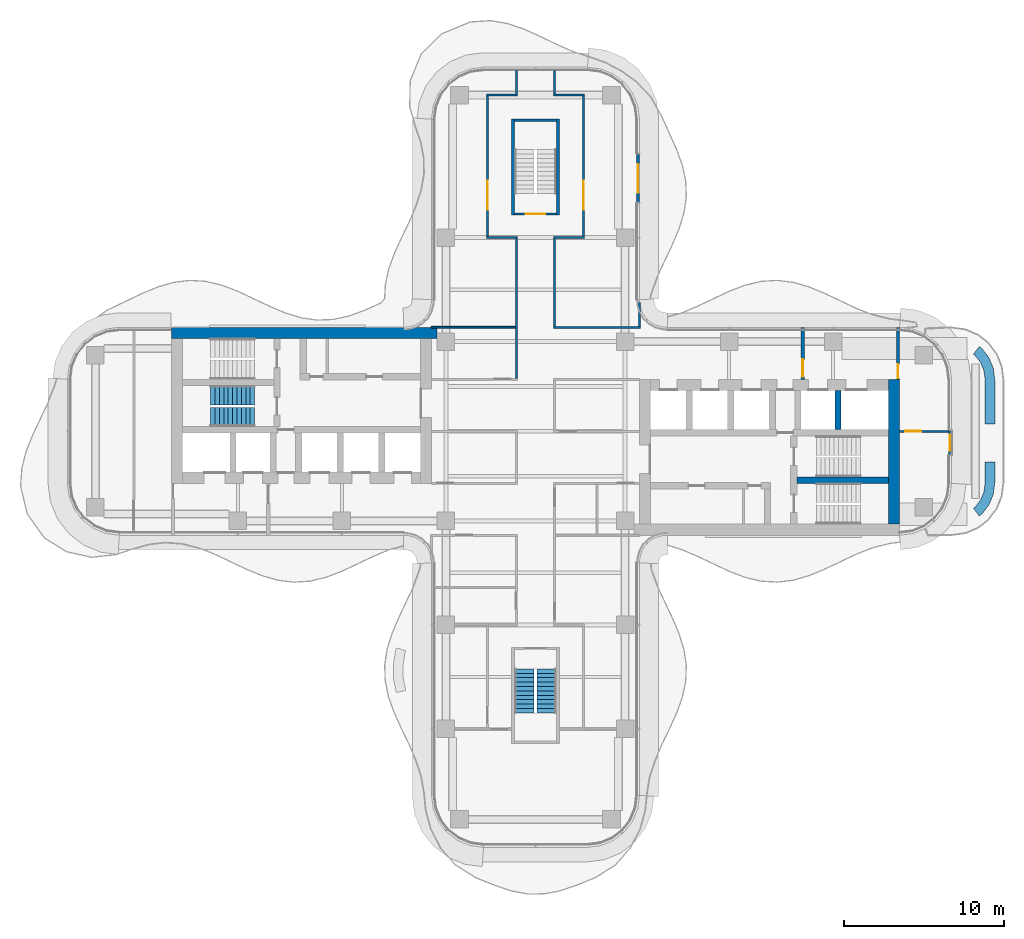
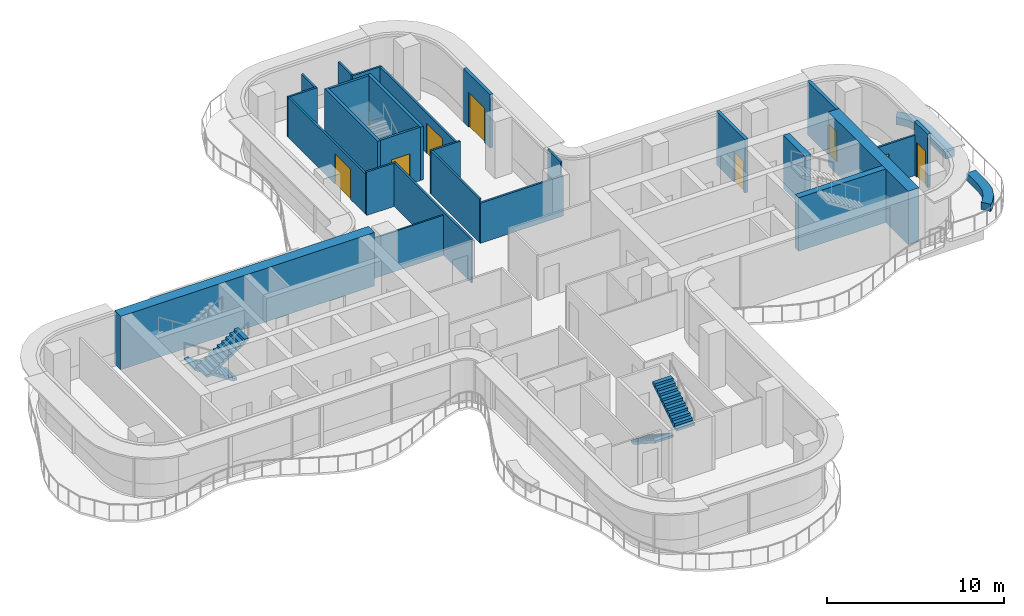
# One storey, part 14 of 17: 28 walls, 8 doors, 4 stair flights, 8 openings, 2 elements without a shape of their own.
"""IFC4 building model written with IfcOpenShell, lengths in metres."""

from ifc_helpers import new_model, si_unit, direction, frame, frame_2d, origin, place, context, subcontext, project, spatial, polyline, rectangle, outline, extrude, source, transform, mapped, material, layer, layer_set, type_object, element, fill, aggregate, save


model = new_model("IFC4")

# Units and contexts
model_context = context("Model", 3, precision=1e-05, world=origin(), true_north=direction((0.0, 1.0)))
body_context = subcontext(model_context, "Body", "Model", "MODEL_VIEW")
ifc_project = project(units=[si_unit("LENGTHUNIT", "METRE"), si_unit("AREAUNIT", "SQUARE_METRE"), si_unit("VOLUMEUNIT", "CUBIC_METRE"), si_unit("PLANEANGLEUNIT", "RADIAN"), si_unit("MASSUNIT", "GRAM", prefix="KILO")], contexts=[model_context])

# Site, building, storey
site_placement = place(None, origin())
site = spatial("IfcSite", under=ifc_project, at=site_placement, CompositionType="ELEMENT")
building_placement = place(site_placement, origin())
building = spatial("IfcBuilding", under=site, at=building_placement, Name="Trellis Farm Tower", CompositionType="ELEMENT")
storey_placement = place(building_placement, frame((0.0, 0.0, 220.699951171875)))
storey = spatial("IfcBuildingStorey", under=building, at=storey_placement, Name="L48", CompositionType="ELEMENT", Elevation=220.699951171875)

# Walls
ifc_material_1 = material(Name="Sandstone faced masonry planter", Category="masonry")
ifc_layer_1 = layer(ifc_material_1, 0.60009765625)
ifc_layer_set_1 = layer_set([ifc_layer_1], Name="PLANTER BED 600")
wall_type_1 = type_object("IfcWallType", Name="PLANTER BED 600", PredefinedType="USERDEFINED", material=ifc_layer_set_1)
placement = place(storey_placement, origin())
element("IfcWall", 1, at=placement, inside=storey, type_object=wall_type_1, Name="PLANTER bed", ObjectType="PLANTER", PredefinedType="USERDEFINED", context=body_context, shape_type="SweptSolid", body=[
    extrude(outline(polyline([(27.90576171875, 5.15576171875), (28.334228515625, 4.59765625), (28.603515625, 3.947509765625), (28.699951171875, 3.214111328125), (28.699951171875, 0.469970703125), (28.10009765625, 0.469970703125), (28.10009765625, 3.174560546875), (28.018798828125, 3.791015625), (27.81005859375, 4.294921875), (27.477783203125, 4.727783203125), (27.364990234375, 4.814697265625), (27.730224609375, 5.29052734375), (27.90576171875, 5.15576171875)])), origin(), (0.0, 0.0, 1.0), 0.5),
])
element("IfcWall", 2, at=placement, inside=storey, type_object=wall_type_1, Name="PLANTER bed", ObjectType="PLANTER", PredefinedType="USERDEFINED", context=body_context, shape_type="SweptSolid", body=[
    extrude(outline(polyline([(28.603515625, -3.947509765625), (28.334228515625, -4.59765625), (27.90576171875, -5.15576171875), (27.730224609375, -5.29052734375), (27.364990234375, -4.814697265625), (27.477783203125, -4.727783203125), (27.81005859375, -4.294921875), (28.018798828125, -3.791015625), (28.10009765625, -3.174560546875), (28.10009765625, -1.929931640625), (28.699951171875, -1.929931640625), (28.699951171875, -3.214111328125), (28.603515625, -3.947509765625)])), origin(), (0.0, 0.0, 1.0), 0.5),
])
ifc_material_2 = material(Name="Concrete C60/75", Category="concrete")
ifc_layer_2 = layer(ifc_material_2, 0.699951171875)
ifc_layer_set_2 = layer_set([ifc_layer_2], Name="CORE OUTER WALL 700 CONCRETE C60/75")
wall_type_2 = type_object("IfcWallType", Name="CORE OUTER WALL 700 CONCRETE C60/75", PredefinedType="SHEAR", material=ifc_layer_set_2)
shared_shape_1 = source(origin(), body_context, "Body", "SweptSolid", [
    extrude(rectangle(XDim=9.050048828125, YDim=0.699951171875, at=frame_2d((4.52490234375, 0.0))), origin(), (0.0, 0.0, 1.0), 3.699951171875),
])
wall_3_placement = place(storey_placement, frame((22.39990234375, -5.800048828125, 0.0), z_axis=(0.0, 0.0, 1.0), x_axis=(0.0, 1.0, 0.0)))
element("IfcWall", 3, at=wall_3_placement, inside=storey, type_object=wall_type_2, Name="Core wall", PredefinedType="SHEAR", context=body_context, shape_type="MappedRepresentation", body=[
    mapped(shared_shape_1, transform((0.0, 0.0, 0.0))),
])
ifc_layer_3 = layer(ifc_material_2, 0.39990234375)
ifc_layer_set_3 = layer_set([ifc_layer_3], Name="CORE INNER WALL 400 CONCRETE C60/75")
wall_type_3 = type_object("IfcWallType", Name="CORE INNER WALL 400 CONCRETE C60/75", PredefinedType="SHEAR", material=ifc_layer_set_3)
shared_shape_2 = source(origin(), body_context, "Body", "SweptSolid", [
    extrude(rectangle(XDim=2.449951171875, YDim=0.39990234375, at=frame_2d((1.22509765625, 0.0))), origin(), (0.0, 0.0, 1.0), 3.699951171875),
])
wall_4_placement = place(storey_placement, frame((18.89990234375, 0.10009765625, 0.0), z_axis=(0.0, 0.0, 1.0), x_axis=(0.0, 1.0, 0.0)))
element("IfcWall", 4, at=wall_4_placement, inside=storey, type_object=wall_type_3, Name="Core wall", PredefinedType="SHEAR", context=body_context, shape_type="MappedRepresentation", body=[
    mapped(shared_shape_2, transform((0.0, 0.0, 0.0))),
])

# Wall, opening, door
ifc_material_3 = material(Name="Masonry blockwork", Category="masonry")
ifc_layer_4 = layer(ifc_material_3, 0.199951171875)
ifc_layer_set_4 = layer_set([ifc_layer_4], Name="FIRE LOBBY PARTITION 200 BLOCKWORK")
wall_type_4 = type_object("IfcWallType", Name="FIRE LOBBY PARTITION 200 BLOCKWORK", PredefinedType="PARTITIONING", material=ifc_layer_set_4)
shared_shape_3 = source(origin(), body_context, "Body", "SweptSolid", [
    extrude(rectangle(XDim=3.25, YDim=0.199951171875, at=frame_2d((1.625, 0.0))), origin(), (0.0, 0.0, 1.0), 3.699951171875),
])
wall_5_placement = place(storey_placement, frame((16.699951171875, 3.25, 0.0), z_axis=(0.0, 0.0, 1.0), x_axis=(0.0, 1.0, 0.0)))
wall_5 = element("IfcWall", 5, at=wall_5_placement, inside=storey, type_object=wall_type_4, Name="Fire-fighting lobby partition", PredefinedType="PARTITIONING", context=body_context, shape_type="MappedRepresentation", body=[
    mapped(shared_shape_3, transform((0.0, 0.0, 0.0))),
])
shared_shape_4 = source(origin(), body_context, "Body", "SweptSolid", [
    extrude(rectangle(XDim=1.10009765625, YDim=2.10009765625, at=frame_2d((0.550048828125, 1.050048828125))), frame((0.0, 0.110107421875, 0.0), z_axis=(0.0, -1.0, 0.0), x_axis=(1.0, 0.0, 0.0)), (0.0, 0.0, 1.0), 0.22021484375),
])
opening_1_placement = place(wall_5_placement, frame((0.14990234375, 0.0, 0.0)))
opening_1 = element("IfcOpeningElement", 6, at=opening_1_placement, cuts=wall_5, Name="Opening DC7", PredefinedType="OPENING", context=body_context, shape_type="MappedRepresentation", body=[
    mapped(shared_shape_4, transform((0.0, 0.0, 0.0))),
])
ifc_material_4 = material(Name="Steel", Category="steel")
door_type_1 = type_object("IfcDoorType", Name="CORE FIRE DOOR 1100 X 2100", OperationType="NOTDEFINED", PredefinedType="DOOR", material=ifc_material_4)
shared_shape_5 = source(origin(), body_context, "Body", "SweptSolid", [
    extrude(rectangle(XDim=1.10009765625, YDim=2.10009765625, at=frame_2d((0.550048828125, 1.050048828125))), frame((0.0, 0.02490234375, 0.0), z_axis=(0.0, -1.0, 0.0), x_axis=(1.0, 0.0, 0.0)), (0.0, 0.0, 1.0), 0.050048828125),
])
door_1_placement = place(opening_1_placement, origin())
door_1 = element("IfcDoor", 7, at=door_1_placement, inside=storey, type_object=door_type_1, Name="Core door", OperationType="SINGLE_SWING_RIGHT", OverallHeight=2.10009765625, OverallWidth=1.10009765625, PredefinedType="DOOR", context=body_context, shape_type="MappedRepresentation", body=[
    mapped(shared_shape_5, transform((0.0, 0.0, 0.0))),
])
fill(opening_1, door_1)

wall_6_placement = place(storey_placement, frame((22.64990234375, 3.25, 0.0), z_axis=(0.0, 0.0, 1.0), x_axis=(0.0, 1.0, 0.0)))
wall_6 = element("IfcWall", 8, at=wall_6_placement, inside=storey, type_object=wall_type_4, Name="Fire-fighting lobby partition", PredefinedType="PARTITIONING", context=body_context, shape_type="MappedRepresentation", body=[
    mapped(shared_shape_3, transform((0.0, 0.0, 0.0))),
])
shared_shape_6 = source(origin(), body_context, "Body", "SweptSolid", [
    extrude(rectangle(XDim=0.89990234375, YDim=2.10009765625, at=frame_2d((0.449951171875, 1.050048828125))), frame((0.0, 0.110107421875, 0.0), z_axis=(0.0, -1.0, 0.0), x_axis=(1.0, 0.0, 0.0)), (0.0, 0.0, 1.0), 0.22021484375),
])
opening_2_placement = place(wall_6_placement, frame((0.050048828125, 0.0, 0.0)))
opening_2 = element("IfcOpeningElement", 9, at=opening_2_placement, cuts=wall_6, Name="Opening DC8", PredefinedType="OPENING", context=body_context, shape_type="MappedRepresentation", body=[
    mapped(shared_shape_6, transform((0.0, 0.0, 0.0))),
])
door_type_2 = type_object("IfcDoorType", Name="CORE FIRE DOOR 900 X 2100", OperationType="NOTDEFINED", PredefinedType="DOOR", material=ifc_material_4)
shared_shape_7 = source(origin(), body_context, "Body", "SweptSolid", [
    extrude(rectangle(XDim=0.89990234375, YDim=2.10009765625, at=frame_2d((0.449951171875, 1.050048828125))), frame((0.0, 0.02490234375, 0.0), z_axis=(0.0, -1.0, 0.0), x_axis=(1.0, 0.0, 0.0)), (0.0, 0.0, 1.0), 0.050048828125),
])
door_2_placement = place(opening_2_placement, origin())
door_2 = element("IfcDoor", 10, at=door_2_placement, inside=storey, type_object=door_type_2, Name="Core door", OperationType="SINGLE_SWING_RIGHT", OverallHeight=2.10009765625, OverallWidth=0.89990234375, PredefinedType="DOOR", context=body_context, shape_type="MappedRepresentation", body=[
    mapped(shared_shape_7, transform((0.0, 0.0, 0.0))),
])
fill(opening_2, door_2)

# Walls
shared_shape_8 = source(origin(), body_context, "Body", "SweptSolid", [
    extrude(rectangle(XDim=5.699951171875, YDim=0.39990234375, at=frame_2d((2.85009765625, 0.0))), origin(), (0.0, 0.0, 1.0), 3.699951171875),
])
wall_7_placement = place(storey_placement, frame((16.35009765625, -3.050048828125, 0.0), z_axis=(0.0, 0.0, 1.0), x_axis=(1.0, 0.0, 0.0)))
element("IfcWall", 11, at=wall_7_placement, inside=storey, type_object=wall_type_3, Name="Core wall", PredefinedType="SHEAR", context=body_context, shape_type="MappedRepresentation", body=[
    mapped(shared_shape_8, transform((0.0, 0.0, 0.0))),
])
shared_shape_9 = source(origin(), body_context, "Body", "SweptSolid", [
    extrude(rectangle(XDim=16.60009765625, YDim=0.699951171875, at=frame_2d((8.300048828125, 0.0))), origin(), (0.0, 0.0, 1.0), 3.699951171875),
])
wall_8_placement = place(storey_placement, frame((-6.14990234375, 6.14990234375, 0.0), z_axis=(0.0, 0.0, 1.0), x_axis=(-1.0, 0.0, 0.0)))
element("IfcWall", 12, at=wall_8_placement, inside=storey, type_object=wall_type_2, Name="Core wall", PredefinedType="SHEAR", context=body_context, shape_type="MappedRepresentation", body=[
    mapped(shared_shape_9, transform((0.0, 0.0, 0.0))),
])
ifc_layer_5 = layer(ifc_material_2, 0.199951171875)
ifc_layer_set_5 = layer_set([ifc_layer_5], Name="CORE STAIR ENCLOSURE WALL 200 CONCRETE C60/75")
wall_type_5 = type_object("IfcWallType", Name="CORE STAIR ENCLOSURE WALL 200 CONCRETE C60/75", PredefinedType="SHEAR", material=ifc_layer_set_5)
shared_shape_10 = source(origin(), body_context, "Body", "SweptSolid", [
    extrude(rectangle(XDim=6.0, YDim=0.199951171875, at=frame_2d((3.0, 0.0))), origin(), (0.0, 0.0, 1.0), 3.699951171875),
])
for number, where, z_axis, x_axis, name in (
    (13, (-1.39990234375, 13.5, 0.0), (0.0, 0.0, 1.0), (0.0, 1.0, 0.0), "Stair enclosure wall"),
    (14, (1.39990234375, 13.5, 0.0), (0.0, 0.0, 1.0), (0.0, 1.0, 0.0), "Stair enclosure wall"),
):
    element("IfcWall", number, at=place(storey_placement, frame(where, z_axis=z_axis, x_axis=x_axis)), inside=storey, type_object=wall_type_5, Name=name, PredefinedType="SHEAR", context=body_context, shape_type="MappedRepresentation", body=[
        mapped(shared_shape_10, transform((0.0, 0.0, 0.0))),
    ])

# Wall, opening, door
ifc_layer_6 = layer(ifc_material_2, 0.14990234375)
ifc_layer_set_6 = layer_set([ifc_layer_6], Name="CORE STAIR ENCLOSURE WALL 150 CONCRETE C60/75")
wall_type_6 = type_object("IfcWallType", Name="CORE STAIR ENCLOSURE WALL 150 CONCRETE C60/75", PredefinedType="SHEAR", material=ifc_layer_set_6)
shared_shape_11 = source(origin(), body_context, "Body", "SweptSolid", [
    extrude(rectangle(XDim=2.60009765625, YDim=0.14990234375, at=frame_2d((1.300048828125, 0.0))), origin(), (0.0, 0.0, 1.0), 3.699951171875),
])
wall_9_placement = place(storey_placement, frame((-1.300048828125, 13.574951171875, 0.0), z_axis=(0.0, 0.0, 1.0), x_axis=(1.0, 0.0, 0.0)))
wall_9 = element("IfcWall", 15, at=wall_9_placement, inside=storey, type_object=wall_type_6, Name="Stair enclosure wall", PredefinedType="SHEAR", context=body_context, shape_type="MappedRepresentation", body=[
    mapped(shared_shape_11, transform((0.0, 0.0, 0.0))),
])
shared_shape_12 = source(origin(), body_context, "Body", "SweptSolid", [
    extrude(rectangle(XDim=1.199951171875, YDim=2.10009765625, at=frame_2d((0.60009765625, 1.050048828125))), frame((0.0, 0.0849609375, 0.0), z_axis=(0.0, -1.0, 0.0), x_axis=(1.0, 0.0, 0.0)), (0.0, 0.0, 1.0), 0.169921875),
])
opening_3_placement = place(wall_9_placement, frame((0.699951171875, 0.0, 0.0)))
opening_3 = element("IfcOpeningElement", 16, at=opening_3_placement, cuts=wall_9, Name="Opening DC173", PredefinedType="OPENING", context=body_context, shape_type="MappedRepresentation", body=[
    mapped(shared_shape_12, transform((0.0, 0.0, 0.0))),
])
door_type_3 = type_object("IfcDoorType", Name="CORE FIRE DOOR 1200 X 2100", OperationType="NOTDEFINED", PredefinedType="DOOR", material=ifc_material_4)
shared_shape_13 = source(origin(), body_context, "Body", "SweptSolid", [
    extrude(rectangle(XDim=1.199951171875, YDim=2.10009765625, at=frame_2d((0.60009765625, 1.050048828125))), frame((0.0, 0.02490234375, 0.0), z_axis=(0.0, -1.0, 0.0), x_axis=(1.0, 0.0, 0.0)), (0.0, 0.0, 1.0), 0.050048828125),
])
door_3_placement = place(opening_3_placement, origin())
door_3 = element("IfcDoor", 17, at=door_3_placement, inside=storey, type_object=door_type_3, Name="Core door", OperationType="SINGLE_SWING_LEFT", OverallHeight=2.10009765625, OverallWidth=1.199951171875, PredefinedType="DOOR", context=body_context, shape_type="MappedRepresentation", body=[
    mapped(shared_shape_13, transform((0.0, 0.0, 0.0))),
])
fill(opening_3, door_3)

# Wall
wall_10_placement = place(storey_placement, frame((-1.300048828125, 19.425048828125, 0.0), z_axis=(0.0, 0.0, 1.0), x_axis=(1.0, 0.0, 0.0)))
element("IfcWall", 18, at=wall_10_placement, inside=storey, type_object=wall_type_6, Name="Stair enclosure wall", PredefinedType="SHEAR", context=body_context, shape_type="MappedRepresentation", body=[
    mapped(shared_shape_11, transform((0.0, 0.0, 0.0))),
])

# Wall, opening, door
ifc_material_5 = material(Name="Sandstone faced insulated wall", Category="masonry")
ifc_layer_7 = layer(ifc_material_5, 0.199951171875)
ifc_layer_set_7 = layer_set([ifc_layer_7], Name="EXTERNAL INFILL WALL 200")
wall_type_7 = type_object("IfcWallType", Name="EXTERNAL INFILL WALL 200", PredefinedType="SOLIDWALL", material=ifc_layer_set_7)
shared_shape_14 = source(origin(), body_context, "Body", "SweptSolid", [
    extrude(rectangle(XDim=3.0, YDim=0.199951171875, at=frame_2d((1.5, 0.0))), origin(), (0.0, 0.0, 1.0), 3.699951171875),
])
wall_11_placement = place(storey_placement, frame((6.39990234375, 14.300048828125, 0.0), z_axis=(0.0, 0.0, 1.0), x_axis=(0.0, 1.0, 0.0)))
wall_11 = element("IfcWall", 19, at=wall_11_placement, inside=storey, type_object=wall_type_7, Name="EW1 02", PredefinedType="SOLIDWALL", context=body_context, shape_type="MappedRepresentation", body=[
    mapped(shared_shape_14, transform((0.0, 0.0, 0.0))),
])
shared_shape_15 = source(origin(), body_context, "Body", "SweptSolid", [
    extrude(rectangle(XDim=1.800048828125, YDim=2.39990234375, at=frame_2d((0.89990234375, 1.199951171875))), frame((0.0, 0.110107421875, 0.0), z_axis=(0.0, -1.0, 0.0), x_axis=(1.0, 0.0, 0.0)), (0.0, 0.0, 1.0), 0.22021484375),
])
opening_4_placement = place(wall_11_placement, frame((0.60009765625, 0.0, 0.0)))
opening_4 = element("IfcOpeningElement", 20, at=opening_4_placement, cuts=wall_11, Name="Opening ED1", PredefinedType="OPENING", context=body_context, shape_type="MappedRepresentation", body=[
    mapped(shared_shape_15, transform((0.0, 0.0, 0.0))),
])
ifc_material_6 = material(Name="Aluminium framed glazed door", Category="aluminium")
door_type_4 = type_object("IfcDoorType", Name="BALCONY DOOR 1800x2400", OperationType="DOUBLE_DOOR_SINGLE_SWING", PredefinedType="DOOR", material=ifc_material_6)
shared_shape_16 = source(origin(), body_context, "Body", "SweptSolid", [
    extrude(rectangle(XDim=1.800048828125, YDim=2.39990234375, at=frame_2d((0.89990234375, 1.199951171875))), frame((0.0, 0.02490234375, 0.0), z_axis=(0.0, -1.0, 0.0), x_axis=(1.0, 0.0, 0.0)), (0.0, 0.0, 1.0), 0.050048828125),
])
door_4_placement = place(opening_4_placement, origin())
door_4 = element("IfcDoor", 21, at=door_4_placement, inside=storey, type_object=door_type_4, Name="Balcony door", OperationType="DOUBLE_DOOR_SINGLE_SWING", OverallHeight=2.39990234375, OverallWidth=1.800048828125, PredefinedType="DOOR", context=body_context, shape_type="MappedRepresentation", body=[
    mapped(shared_shape_16, transform((0.0, 0.0, 0.0))),
])
fill(opening_4, door_4)

shared_shape_17 = source(origin(), body_context, "Body", "SweptSolid", [
    extrude(rectangle(XDim=1.5, YDim=0.199951171875, at=frame_2d((0.75, 0.0))), origin(), (0.0, 0.0, 1.0), 3.699951171875),
])
wall_12_placement = place(storey_placement, frame((25.89990234375, -1.47998046875, 0.0), z_axis=(0.0, 0.0, 1.0), x_axis=(0.0, 1.0, 0.0)))
wall_12 = element("IfcWall", 22, at=wall_12_placement, inside=storey, type_object=wall_type_7, Name="EW1 01", PredefinedType="SOLIDWALL", context=body_context, shape_type="MappedRepresentation", body=[
    mapped(shared_shape_17, transform((0.0, 0.0, 0.0))),
])
shared_shape_18 = source(origin(), body_context, "Body", "SweptSolid", [
    extrude(rectangle(XDim=1.0, YDim=2.39990234375, at=frame_2d((0.5, 1.199951171875))), frame((0.0, 0.110107421875, 0.0), z_axis=(0.0, -1.0, 0.0), x_axis=(1.0, 0.0, 0.0)), (0.0, 0.0, 1.0), 0.22021484375),
])
opening_5_placement = place(wall_12_placement, frame((0.25, 0.0, 0.0)))
opening_5 = element("IfcOpeningElement", 23, at=opening_5_placement, cuts=wall_12, Name="Opening ED2", PredefinedType="OPENING", context=body_context, shape_type="MappedRepresentation", body=[
    mapped(shared_shape_18, transform((0.0, 0.0, 0.0))),
])
door_type_5 = type_object("IfcDoorType", Name="BALCONY DOOR 1000x2400", OperationType="SINGLE_SWING_LEFT", PredefinedType="DOOR", material=ifc_material_6)
shared_shape_19 = source(origin(), body_context, "Body", "SweptSolid", [
    extrude(rectangle(XDim=1.0, YDim=2.39990234375, at=frame_2d((0.5, 1.199951171875))), frame((0.0, 0.02490234375, 0.0), z_axis=(0.0, -1.0, 0.0), x_axis=(1.0, 0.0, 0.0)), (0.0, 0.0, 1.0), 0.050048828125),
])
door_5_placement = place(opening_5_placement, origin())
door_5 = element("IfcDoor", 24, at=door_5_placement, inside=storey, type_object=door_type_5, Name="Balcony door", OperationType="SINGLE_SWING_LEFT", OverallHeight=2.39990234375, OverallWidth=1.0, PredefinedType="DOOR", context=body_context, shape_type="MappedRepresentation", body=[
    mapped(shared_shape_19, transform((0.0, 0.0, 0.0))),
])
fill(opening_5, door_5)

# Walls
ifc_material_7 = material(Name="Plasterboard on steel studs, mineral wool", Category="steel")
ifc_layer_8 = layer(ifc_material_7, 0.125)
ifc_layer_set_8 = layer_set([ifc_layer_8], Name="PARTITION 125 STUD EI 60")
wall_type_8 = type_object("IfcWallType", Name="PARTITION 125 STUD EI 60", PredefinedType="PARTITIONING", material=ifc_layer_set_8)
shared_shape_20 = source(origin(), body_context, "Body", "SweptSolid", [
    extrude(rectangle(XDim=5.47509765625, YDim=0.125, at=frame_2d((2.737548828125, 0.0))), origin(), (0.0, 0.0, 1.0), 2.99658203125),
])
wall_13_placement = place(storey_placement, frame((1.199951171875, 12.03759765625, 0.0), z_axis=(0.0, 0.0, 1.0), x_axis=(0.0, -1.0, 0.0)))
element("IfcWall", 25, at=wall_13_placement, inside=storey, type_object=wall_type_8, Name="Partition PW1", PredefinedType="PARTITIONING", context=body_context, shape_type="MappedRepresentation", body=[
    mapped(shared_shape_20, transform((0.0, 0.0, 0.0))),
])
shared_shape_21 = source(origin(), body_context, "Body", "SweptSolid", [
    extrude(rectangle(XDim=1.468994140625, YDim=0.125, at=frame_2d((0.734375, 0.0))), origin(), (0.0, 0.0, 1.0), 3.699951171875),
])
wall_14_placement = place(storey_placement, frame((6.5, 6.5625, 0.0), z_axis=(0.0, 0.0, 1.0), x_axis=(0.0, 1.0, 0.0)))
element("IfcWall", 26, at=wall_14_placement, inside=storey, type_object=wall_type_8, Name="Partition PW1", PredefinedType="PARTITIONING", context=body_context, shape_type="MappedRepresentation", body=[
    mapped(shared_shape_21, transform((0.0, 0.0, 0.0))),
])
shared_shape_22 = source(origin(), body_context, "Body", "SweptSolid", [
    extrude(rectangle(XDim=8.72509765625, YDim=0.125, at=frame_2d((4.362548828125, 0.0))), origin(), (0.0, 0.0, 1.0), 2.99658203125),
])
wall_15_placement = place(storey_placement, frame((-1.199951171875, 12.03759765625, 0.0), z_axis=(0.0, 0.0, 1.0), x_axis=(0.0, -1.0, 0.0)))
element("IfcWall", 27, at=wall_15_placement, inside=storey, type_object=wall_type_8, Name="Partition PW1", PredefinedType="PARTITIONING", context=body_context, shape_type="MappedRepresentation", body=[
    mapped(shared_shape_22, transform((0.0, 0.0, 0.0))),
])
shared_shape_23 = source(origin(), body_context, "Body", "SweptSolid", [
    extrude(rectangle(XDim=1.925048828125, YDim=0.125, at=frame_2d((0.96240234375, 0.0))), origin(), (0.0, 0.0, 1.0), 2.99658203125),
])
for number, where, z_axis, x_axis, name in (
    (28, (-1.137451171875, 12.10009765625, 0.0), (0.0, 0.0, 1.0), (-1.0, 0.0, 0.0), "Partition PW1"),
    (29, (3.0625, 12.10009765625, 0.0), (0.0, 0.0, 1.0), (-1.0, 0.0, 0.0), "Partition PW1"),
):
    element("IfcWall", number, at=place(storey_placement, frame(where, z_axis=z_axis, x_axis=x_axis)), inside=storey, type_object=wall_type_8, Name=name, PredefinedType="PARTITIONING", context=body_context, shape_type="MappedRepresentation", body=[
        mapped(shared_shape_23, transform((0.0, 0.0, 0.0))),
    ])
shared_shape_24 = source(origin(), body_context, "Body", "SweptSolid", [
    extrude(rectangle(XDim=5.425048828125, YDim=0.125, at=frame_2d((2.71240234375, 0.0))), origin(), (0.0, 0.0, 1.0), 2.780029296875),
])
wall_16_placement = place(storey_placement, frame((1.137451171875, 6.5, 0.0), z_axis=(0.0, 0.0, 1.0), x_axis=(1.0, 0.0, 0.0)))
element("IfcWall", 30, at=wall_16_placement, inside=storey, type_object=wall_type_8, Name="Partition PW1", PredefinedType="PARTITIONING", context=body_context, shape_type="MappedRepresentation", body=[
    mapped(shared_shape_24, transform((0.0, 0.0, 0.0))),
])
ifc_material_8 = material(Name="Plasterboard on steel studs", Category="steel")
ifc_layer_9 = layer(ifc_material_8, 0.10009765625)
ifc_layer_set_9 = layer_set([ifc_layer_9], Name="PARTITION 100 STUD EI 30")
wall_type_9 = type_object("IfcWallType", Name="PARTITION 100 STUD EI 30", PredefinedType="PARTITIONING", material=ifc_layer_set_9)
shared_shape_25 = source(origin(), body_context, "Body", "SweptSolid", [
    extrude(rectangle(XDim=5.237548828125, YDim=0.10009765625, at=frame_2d((2.61865234375, 0.0))), origin(), (0.0, 0.0, 1.0), 2.780029296875),
])
wall_17_placement = place(storey_placement, frame((-6.5, 6.5, 0.0), z_axis=(0.0, 0.0, 1.0), x_axis=(1.0, 0.0, 0.0)))
element("IfcWall", 31, at=wall_17_placement, inside=storey, type_object=wall_type_9, Name="Partition PW2", PredefinedType="PARTITIONING", context=body_context, shape_type="MappedRepresentation", body=[
    mapped(shared_shape_25, transform((0.0, 0.0, 0.0))),
])

# Wall, opening, door
shared_shape_26 = source(origin(), body_context, "Body", "SweptSolid", [
    extrude(rectangle(XDim=8.77490234375, YDim=0.125, at=frame_2d((4.387451171875, 0.0))), origin(), (0.0, 0.0, 1.0), 2.780029296875),
])
wall_18_placement = place(storey_placement, frame((-3.0, 12.16259765625, 0.0), z_axis=(0.0, 0.0, 1.0), x_axis=(0.0, 1.0, 0.0)))
wall_18 = element("IfcWall", 32, at=wall_18_placement, inside=storey, type_object=wall_type_8, Name="Partition PW1", PredefinedType="PARTITIONING", context=body_context, shape_type="MappedRepresentation", body=[
    mapped(shared_shape_26, transform((0.0, 0.0, 0.0))),
])
shared_shape_27 = source(origin(), body_context, "Body", "SweptSolid", [
    extrude(rectangle(XDim=1.800048828125, YDim=2.10009765625, at=frame_2d((0.89990234375, 1.050048828125))), frame((0.0, 0.072509765625, 0.0), z_axis=(0.0, -1.0, 0.0), x_axis=(1.0, 0.0, 0.0)), (0.0, 0.0, 1.0), 0.14501953125),
])
opening_6_placement = place(wall_18_placement, frame((1.6875, 0.0, 0.0)))
opening_6 = element("IfcOpeningElement", 33, at=opening_6_placement, cuts=wall_18, Name="Opening D202", PredefinedType="OPENING", context=body_context, shape_type="MappedRepresentation", body=[
    mapped(shared_shape_27, transform((0.0, 0.0, 0.0))),
])
ifc_material_9 = material(Name="Fire-rated timber door leaf in a hollow metal frame", Category="wood")
door_type_6 = type_object("IfcDoorType", Name="DOOR PAIR 1800x2100 FD30S", OperationType="NOTDEFINED", PredefinedType="DOOR", material=ifc_material_9)
shared_shape_28 = source(origin(), body_context, "Body", "SweptSolid", [
    extrude(rectangle(XDim=1.800048828125, YDim=2.10009765625, at=frame_2d((0.89990234375, 1.050048828125))), frame((0.0, 0.02490234375, 0.0), z_axis=(0.0, -1.0, 0.0), x_axis=(1.0, 0.0, 0.0)), (0.0, 0.0, 1.0), 0.050048828125),
])
door_6_placement = place(opening_6_placement, origin())
door_6 = element("IfcDoor", 34, at=door_6_placement, inside=storey, type_object=door_type_6, Name="Door D202", OperationType="DOUBLE_DOOR_SINGLE_SWING", OverallHeight=2.10009765625, OverallWidth=1.800048828125, PredefinedType="DOOR", context=body_context, shape_type="MappedRepresentation", body=[
    mapped(shared_shape_28, transform((0.0, 0.0, 0.0))),
])
fill(opening_6, door_6)

wall_19_placement = place(storey_placement, frame((3.0, 20.9375, 0.0), z_axis=(0.0, 0.0, 1.0), x_axis=(0.0, -1.0, 0.0)))
wall_19 = element("IfcWall", 35, at=wall_19_placement, inside=storey, type_object=wall_type_8, Name="Partition PW1", PredefinedType="PARTITIONING", context=body_context, shape_type="MappedRepresentation", body=[
    mapped(shared_shape_26, transform((0.0, 0.0, 0.0))),
])
opening_7_placement = place(wall_19_placement, frame((5.28759765625, 0.0, 0.0)))
opening_7 = element("IfcOpeningElement", 36, at=opening_7_placement, cuts=wall_19, Name="Opening D203", PredefinedType="OPENING", context=body_context, shape_type="MappedRepresentation", body=[
    mapped(shared_shape_27, transform((0.0, 0.0, 0.0))),
])
door_7_placement = place(opening_7_placement, origin())
door_7 = element("IfcDoor", 37, at=door_7_placement, inside=storey, type_object=door_type_6, Name="Door D203", OperationType="DOUBLE_DOOR_SINGLE_SWING", OverallHeight=2.10009765625, OverallWidth=1.800048828125, PredefinedType="DOOR", context=body_context, shape_type="MappedRepresentation", body=[
    mapped(shared_shape_28, transform((0.0, 0.0, 0.0))),
])
fill(opening_7, door_7)

# Walls
shared_shape_29 = source(origin(), body_context, "Body", "SweptSolid", [
    extrude(rectangle(XDim=1.487548828125, YDim=0.125, at=frame_2d((0.74365234375, 0.0))), origin(), (0.0, 0.0, 1.0), 2.780029296875),
])
for number, where, z_axis, x_axis, name in (
    (38, (-1.199951171875, 22.550048828125, 0.0), (0.0, 0.0, 1.0), (0.0, -1.0, 0.0), "Partition PW1"),
    (39, (1.199951171875, 22.550048828125, 0.0), (0.0, 0.0, 1.0), (0.0, -1.0, 0.0), "Partition PW1"),
):
    element("IfcWall", number, at=place(storey_placement, frame(where, z_axis=z_axis, x_axis=x_axis)), inside=storey, type_object=wall_type_8, Name=name, PredefinedType="PARTITIONING", context=body_context, shape_type="MappedRepresentation", body=[
        mapped(shared_shape_29, transform((0.0, 0.0, 0.0))),
    ])
shared_shape_30 = source(origin(), body_context, "Body", "SweptSolid", [
    extrude(rectangle(XDim=1.925048828125, YDim=0.125, at=frame_2d((0.96240234375, 0.0))), origin(), (0.0, 0.0, 1.0), 2.780029296875),
])
for number, where, z_axis, x_axis, name in (
    (40, (-3.0625, 21.0, 0.0), (0.0, 0.0, 1.0), (1.0, 0.0, 0.0), "Partition PW1"),
    (41, (1.137451171875, 21.0, 0.0), (0.0, 0.0, 1.0), (1.0, 0.0, 0.0), "Partition PW1"),
):
    element("IfcWall", number, at=place(storey_placement, frame(where, z_axis=z_axis, x_axis=x_axis)), inside=storey, type_object=wall_type_8, Name=name, PredefinedType="PARTITIONING", context=body_context, shape_type="MappedRepresentation", body=[
        mapped(shared_shape_30, transform((0.0, 0.0, 0.0))),
    ])

# Wall, opening, door
shared_shape_31 = source(origin(), body_context, "Body", "SweptSolid", [
    extrude(rectangle(XDim=3.050048828125, YDim=0.125, at=frame_2d((1.52490234375, 0.0))), origin(), (0.0, 0.0, 1.0), 2.780029296875),
])
wall_20_placement = place(storey_placement, frame((25.800048828125, 0.0, 0.0), z_axis=(0.0, 0.0, 1.0), x_axis=(-1.0, 0.0, 0.0)))
wall_20 = element("IfcWall", 42, at=wall_20_placement, inside=storey, type_object=wall_type_8, Name="Partition PW1", PredefinedType="PARTITIONING", context=body_context, shape_type="MappedRepresentation", body=[
    mapped(shared_shape_31, transform((0.0, 0.0, 0.0))),
])
shared_shape_32 = source(origin(), body_context, "Body", "SweptSolid", [
    extrude(rectangle(XDim=1.0, YDim=2.10009765625, at=frame_2d((0.5, 1.050048828125))), frame((0.0, 0.072509765625, 0.0), z_axis=(0.0, -1.0, 0.0), x_axis=(1.0, 0.0, 0.0)), (0.0, 0.0, 1.0), 0.14501953125),
])
opening_8_placement = place(wall_20_placement, frame((1.699951171875, 0.0, 0.0)))
opening_8 = element("IfcOpeningElement", 43, at=opening_8_placement, cuts=wall_20, Name="Opening D109", PredefinedType="OPENING", context=body_context, shape_type="MappedRepresentation", body=[
    mapped(shared_shape_32, transform((0.0, 0.0, 0.0))),
])
door_type_7 = type_object("IfcDoorType", Name="DOOR 1000x2100 FD30S", OperationType="NOTDEFINED", PredefinedType="DOOR", material=ifc_material_9)
shared_shape_33 = source(origin(), body_context, "Body", "SweptSolid", [
    extrude(rectangle(XDim=1.0, YDim=2.10009765625, at=frame_2d((0.5, 1.050048828125))), frame((0.0, 0.02490234375, 0.0), z_axis=(0.0, -1.0, 0.0), x_axis=(1.0, 0.0, 0.0)), (0.0, 0.0, 1.0), 0.050048828125),
])
door_8_placement = place(opening_8_placement, origin())
door_8 = element("IfcDoor", 44, at=door_8_placement, inside=storey, type_object=door_type_7, Name="Door D109", OperationType="SINGLE_SWING_RIGHT", OverallHeight=2.10009765625, OverallWidth=1.0, PredefinedType="DOOR", context=body_context, shape_type="MappedRepresentation", body=[
    mapped(shared_shape_33, transform((0.0, 0.0, 0.0))),
])
fill(opening_8, door_8)

# Stair, stair flights
ifc_material_10 = material(Name="Concrete C50/60", Category="concrete")
stair_type = type_object("IfcStairType", Name="CORE EXIT STAIR 22 RISERS 177 MM", PredefinedType="HALF_TURN_STAIR", material=ifc_material_10)
stair_1 = element("IfcStair", 45, at=placement, inside=storey, type_object=stair_type, Name="Exit stair S", PredefinedType="HALF_TURN_STAIR")
stair_flight_type = type_object("IfcStairFlightType", Name="STAIR FLIGHT 11 RISERS 177 MM", PredefinedType="STRAIGHT", material=ifc_material_10)
shared_shape_34 = source(origin(), body_context, "Body", "SweptSolid", [
    extrude(outline(polyline([(0.0, 0.0), (0.0, 0.17724609375), (0.27490234375, 0.17724609375), (0.27490234375, 0.3544921875), (0.550048828125, 0.3544921875), (0.550048828125, 0.53173828125), (0.824951171875, 0.53173828125), (0.824951171875, 0.708984375), (1.10009765625, 0.708984375), (1.10009765625, 0.886474609375), (1.375, 0.886474609375), (1.375, 1.063720703125), (1.64990234375, 1.063720703125), (1.64990234375, 1.240966796875), (1.925048828125, 1.240966796875), (1.925048828125, 1.418212890625), (2.199951171875, 1.418212890625), (2.199951171875, 1.595458984375), (2.47509765625, 1.595458984375), (2.47509765625, 1.772705078125), (2.75, 1.772705078125), (2.75, 1.949951171875), (2.75, 1.6181640625), (0.23974609375, 0.0), (0.0, 0.0)])), frame((0.0, 0.60009765625, 0.0), z_axis=(0.0, -1.0, 0.0), x_axis=(1.0, 0.0, 0.0)), (0.0, 0.0, 1.0), 1.199951171875),
])
stair_flight_1_placement = place(storey_placement, frame((-0.699951171875, -14.85009765625, 0.0), z_axis=(0.0, 0.0, 1.0), x_axis=(0.0, -1.0, 0.0)))
stair_flight_1 = element("IfcStairFlight", 46, at=stair_flight_1_placement, type_object=stair_flight_type, Name="STS flight 1", NumberOfRisers=11, NumberOfTreads=10, PredefinedType="STRAIGHT", RiserHeight=0.177272727, TreadLength=0.275, context=body_context, shape_type="MappedRepresentation", body=[
    mapped(shared_shape_34, transform((0.0, 0.0, 0.0))),
])
stair_flight_2_placement = place(storey_placement, frame((0.699951171875, -17.60009765625, 1.949951171875), z_axis=(0.0, 0.0, 1.0), x_axis=(0.0, 1.0, 0.0)))
stair_flight_2 = element("IfcStairFlight", 47, at=stair_flight_2_placement, type_object=stair_flight_type, Name="STS flight 2", NumberOfRisers=11, NumberOfTreads=10, PredefinedType="STRAIGHT", RiserHeight=0.177272727, TreadLength=0.275, context=body_context, shape_type="MappedRepresentation", body=[
    mapped(shared_shape_34, transform((0.0, 0.0, 0.0))),
])
aggregate(stair_1, [stair_flight_1, stair_flight_2])

stair_2 = element("IfcStair", 48, at=placement, inside=storey, type_object=stair_type, Name="Exit stair W2", PredefinedType="HALF_TURN_STAIR")
stair_flight_3_placement = place(storey_placement, frame((-17.550048828125, 2.25, 0.0), z_axis=(0.0, 0.0, 1.0), x_axis=(-1.0, 0.0, 0.0)))
stair_flight_3 = element("IfcStairFlight", 49, at=stair_flight_3_placement, type_object=stair_flight_type, Name="STW2 flight 1", NumberOfRisers=11, NumberOfTreads=10, PredefinedType="STRAIGHT", RiserHeight=0.177272727, TreadLength=0.275, context=body_context, shape_type="MappedRepresentation", body=[
    mapped(shared_shape_34, transform((0.0, 0.0, 0.0))),
])
stair_flight_4_placement = place(storey_placement, frame((-20.300048828125, 0.89990234375, 1.949951171875), z_axis=(0.0, 0.0, 1.0), x_axis=(1.0, 0.0, 0.0)))
stair_flight_4 = element("IfcStairFlight", 50, at=stair_flight_4_placement, type_object=stair_flight_type, Name="STW2 flight 2", NumberOfRisers=11, NumberOfTreads=10, PredefinedType="STRAIGHT", RiserHeight=0.177272727, TreadLength=0.275, context=body_context, shape_type="MappedRepresentation", body=[
    mapped(shared_shape_34, transform((0.0, 0.0, 0.0))),
])
aggregate(stair_2, [stair_flight_3, stair_flight_4])

save(model, "model.ifc")
